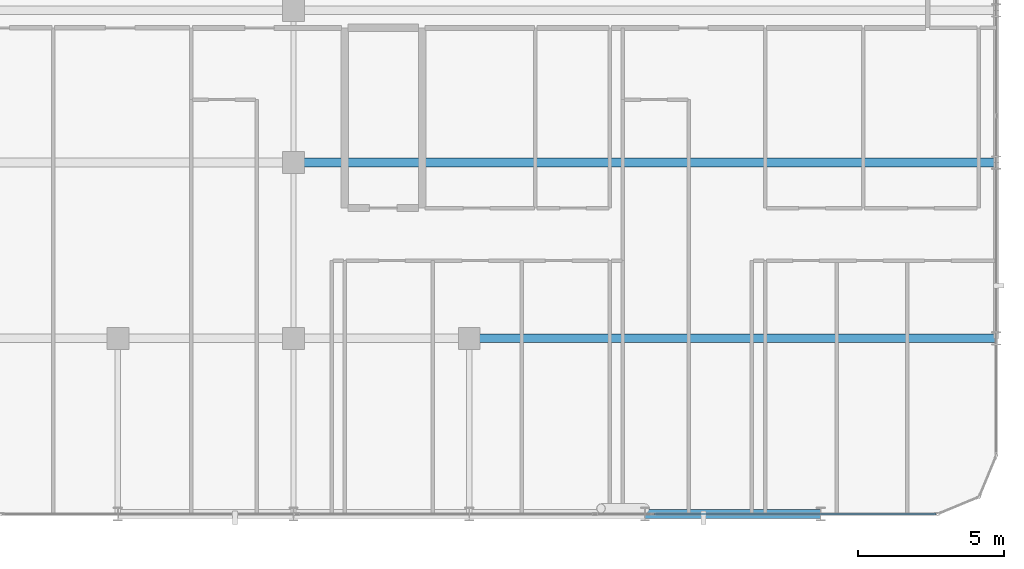
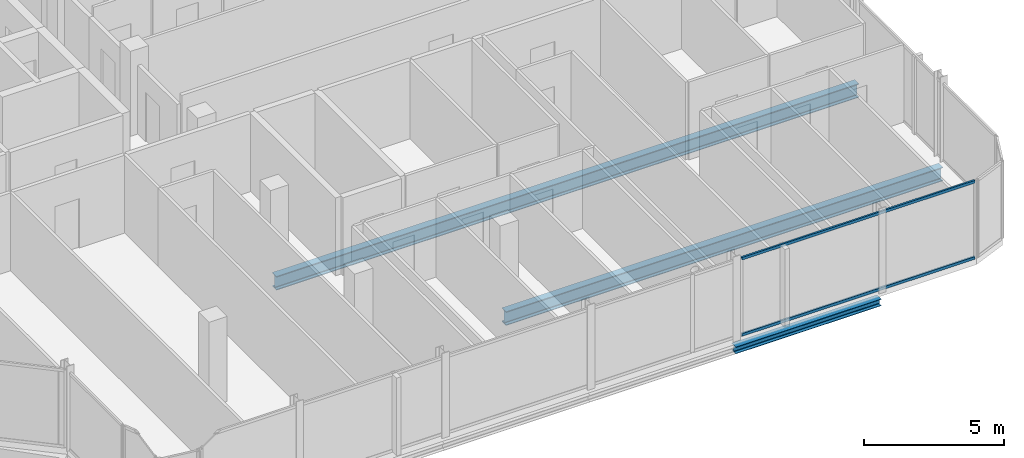
# One storey, part 11 of 29: 3 beams, 2 members, 1 element without a shape of its own.
"""IFC4 building model written with IfcOpenShell, lengths in metres."""

from ifc_helpers import new_model, si_unit, direction, frame, origin, origin_2d, place, context, subcontext, project, spatial, hollow_rectangle, i_section, extrude, material, layer, layer_set, material_profile, profile_set, type_object, element, aggregate, save


model = new_model("IFC4")

# Units and contexts
model_context = context("Model", 3, precision=1e-05, world=origin(), true_north=direction((0.0, 1.0)))
body_context = subcontext(model_context, "Body", "Model", "MODEL_VIEW")
ifc_project = project(units=[si_unit("LENGTHUNIT", "METRE"), si_unit("AREAUNIT", "SQUARE_METRE"), si_unit("VOLUMEUNIT", "CUBIC_METRE"), si_unit("PLANEANGLEUNIT", "RADIAN"), si_unit("MASSUNIT", "GRAM", prefix="KILO")], contexts=[model_context])

# Site, building, storey
site_placement = place(None, origin())
site = spatial("IfcSite", under=ifc_project, at=site_placement, CompositionType="ELEMENT")
building_placement = place(site_placement, origin())
building = spatial("IfcBuilding", under=site, at=building_placement, Name="Keshet Zoharim Tower", CompositionType="ELEMENT")
storey_placement = place(building_placement, frame((0.0, 0.0, 210.60009765625)))
storey = spatial("IfcBuildingStorey", under=building, at=storey_placement, Name="L52", CompositionType="ELEMENT", Elevation=210.60009765625)

# Beams
ifc_material_1 = material(Name="Steel S355", Category="steel")
ifc_material_profile_1 = material_profile(ifc_material_1, i_section(OverallWidth=0.300048828125, OverallDepth=0.60009765625, WebThickness=0.015380859375, FlangeThickness=0.030029296875, FilletRadius=0.027099609375, at=origin_2d()), Name="HEB600")
ifc_profile_set_1 = profile_set([ifc_material_profile_1], Name="Steel S355")
beam_type_1 = type_object("IfcBeamType", Name="BM-LNG-HB600", PredefinedType="BEAM", material=ifc_profile_set_1)
beam_1_placement = place(storey_placement, frame((39.0, 6.699951171875, -0.610107421875), z_axis=(1.0, 0.0, 0.0), x_axis=(0.0, 1.0, 0.0)))
element("IfcBeam", 1, at=beam_1_placement, inside=storey, type_object=beam_type_1, Name="L52 Primary Girder X-008", PredefinedType="BEAM", context=body_context, shape_type="SweptSolid", body=[
    extrude(i_section(OverallWidth=0.300048828125, OverallDepth=0.60009765625, WebThickness=0.015380859375, FlangeThickness=0.030029296875, FilletRadius=0.027099609375, at=origin_2d()), origin(), (0.0, 0.0, 1.0), 18.0),
])
beam_2_placement = place(storey_placement, frame((33.0, 12.699951171875, -0.610107421875), z_axis=(1.0, 0.0, 0.0), x_axis=(0.0, 1.0, 0.0)))
element("IfcBeam", 2, at=beam_2_placement, inside=storey, type_object=beam_type_1, Name="L52 Primary Girder X-010", PredefinedType="BEAM", context=body_context, shape_type="SweptSolid", body=[
    extrude(i_section(OverallWidth=0.300048828125, OverallDepth=0.60009765625, WebThickness=0.015380859375, FlangeThickness=0.030029296875, FilletRadius=0.027099609375, at=origin_2d()), origin(), (0.0, 0.0, 1.0), 24.0),
])
ifc_material_profile_2 = material_profile(ifc_material_1, i_section(OverallWidth=0.300048828125, OverallDepth=0.300048828125, WebThickness=0.010986328125, FlangeThickness=0.01904296875, FilletRadius=0.027099609375, at=origin_2d()), Name="HEB300")
ifc_profile_set_2 = profile_set([ifc_material_profile_2], Name="Steel S355")
beam_type_2 = type_object("IfcBeamType", Name="BM-PRI-HB300", PredefinedType="BEAM", material=ifc_profile_set_2)
beam_3_placement = place(storey_placement, frame((45.0, 0.699951171875, -0.460205078125), z_axis=(1.0, 0.0, 0.0), x_axis=(0.0, 1.0, 0.0)))
element("IfcBeam", 3, at=beam_3_placement, inside=storey, type_object=beam_type_2, Name="L52 Primary Girder X-004", PredefinedType="BEAM", context=body_context, shape_type="SweptSolid", body=[
    extrude(i_section(OverallWidth=0.300048828125, OverallDepth=0.300048828125, WebThickness=0.010986328125, FlangeThickness=0.01904296875, FilletRadius=0.027099609375, at=origin_2d()), origin(), (0.0, 0.0, 1.0), 6.0),
])

# Curtain wall, members
ifc_material_2 = material(Name="Aluminium 6063-T6", Category="aluminium")
ifc_layer = layer(ifc_material_2, 0.139892578125)
ifc_layer_set = layer_set([ifc_layer], Name="Aluminium 6063-T6")
curtain_wall_type = type_object("IfcCurtainWallType", Name="CW-SYS-05", PredefinedType="NOTDEFINED", material=ifc_layer_set)
curtain_wall_placement = place(storey_placement, origin())
curtain_wall = element("IfcCurtainWall", 4, at=curtain_wall_placement, inside=storey, type_object=curtain_wall_type, Name="L52 Unitised Curtain Wall 06", PredefinedType="NOTDEFINED")
ifc_material_profile_3 = material_profile(ifc_material_2, hollow_rectangle(XDim=0.074951171875, YDim=0.1201171875, WallThickness=0.00390625, at=origin_2d()), Name="TRN-75x120")
ifc_profile_set_3 = profile_set([ifc_material_profile_3], Name="Aluminium 6063-T6")
member_type = type_object("IfcMemberType", Name="CWT-T12", PredefinedType="USERDEFINED", material=ifc_profile_set_3)
member_1_placement = place(storey_placement, frame((54.929931640625, 0.699951171875, 0.034912109375), z_axis=(-1.0, 0.0, 0.0), x_axis=(0.0, -1.0, 0.0)))
member_1 = element("IfcMember", 5, at=member_1_placement, type_object=member_type, Name="CW-05 transom 1.1", ObjectType="TRANSOM", PredefinedType="USERDEFINED", context=body_context, shape_type="SweptSolid", body=[
    extrude(hollow_rectangle(XDim=0.074951171875, YDim=0.1201171875, WallThickness=0.00390625, at=origin_2d()), origin(), (0.0, 0.0, 1.0), 9.61181640625),
])
member_2_placement = place(storey_placement, frame((54.929931640625, 0.699951171875, 3.35498046875), z_axis=(-1.0, 0.0, 0.0), x_axis=(0.0, -1.0, 0.0)))
member_2 = element("IfcMember", 6, at=member_2_placement, type_object=member_type, Name="CW-05 transom 1.2", ObjectType="TRANSOM", PredefinedType="USERDEFINED", context=body_context, shape_type="SweptSolid", body=[
    extrude(hollow_rectangle(XDim=0.074951171875, YDim=0.1201171875, WallThickness=0.00390625, at=origin_2d()), origin(), (0.0, 0.0, 1.0), 9.61181640625),
])
aggregate(curtain_wall, [member_1, member_2])

save(model, "model.ifc")
